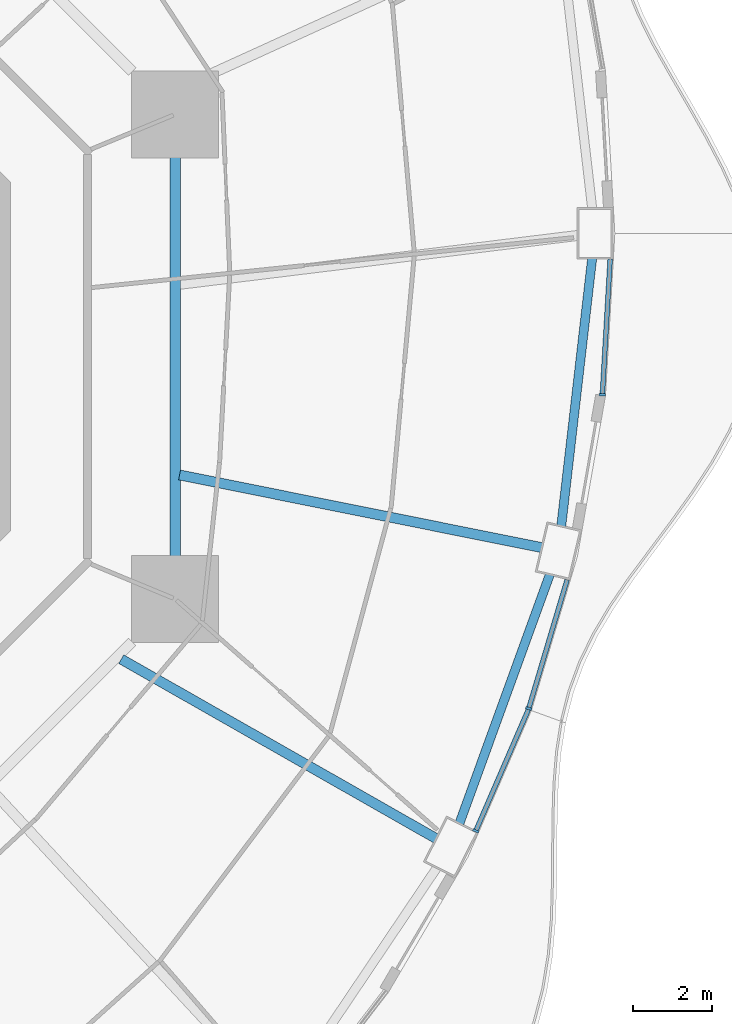
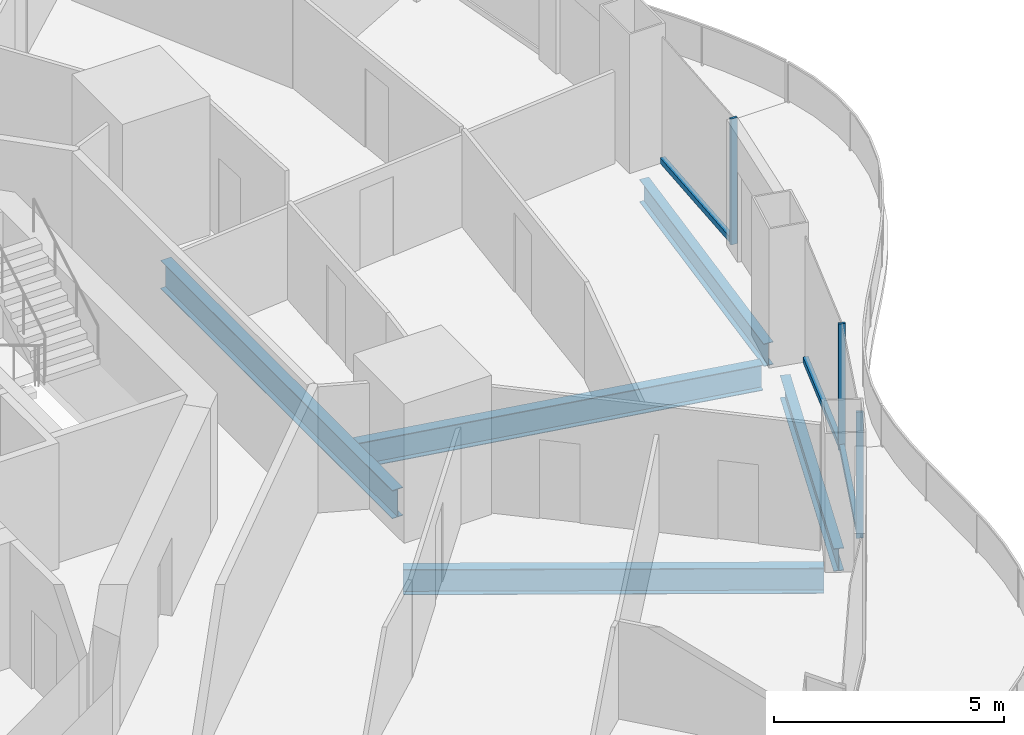
# One storey, part 6 of 23: 6 members, 5 beams, 3 elements without a shape of their own.
"""IFC4 building model written with IfcOpenShell, lengths in metres."""

from ifc_helpers import new_model, si_unit, direction, frame, origin, origin_2d, place, context, subcontext, project, spatial, rectangle, i_section, extrude, material, layer, layer_set, material_profile, profile_set, type_object, element, aggregate, save


model = new_model("IFC4")

# Units and contexts
model_context = context("Model", 3, precision=1e-05, world=origin(), true_north=direction((0.0, 1.0)))
body_context = subcontext(model_context, "Body", "Model", "MODEL_VIEW")
ifc_project = project(units=[si_unit("LENGTHUNIT", "METRE"), si_unit("AREAUNIT", "SQUARE_METRE"), si_unit("VOLUMEUNIT", "CUBIC_METRE"), si_unit("PLANEANGLEUNIT", "RADIAN"), si_unit("MASSUNIT", "GRAM", prefix="KILO")], contexts=[model_context])

# Site, building, storey
site_placement = place(None, origin())
site = spatial("IfcSite", under=ifc_project, at=site_placement, CompositionType="ELEMENT")
building_placement = place(site_placement, origin())
building = spatial("IfcBuilding", under=site, at=building_placement, Name="Nagisa Residences", CompositionType="ELEMENT")
storey_placement = place(building_placement, frame((0.0, 0.0, 110.300048828125)))
storey = spatial("IfcBuildingStorey", under=building, at=storey_placement, Name="L27", CompositionType="ELEMENT", Elevation=110.300048828125)

# Curtain wall, member
ifc_material_1 = material(Name="Concrete-coloured aluminium curtain wall system", Category="concrete")
ifc_layer = layer(ifc_material_1, 0.159912109375)
ifc_layer_set = layer_set([ifc_layer], Name="CW1 CURTAIN WALL")
curtain_wall_type = type_object("IfcCurtainWallType", Name="CW1 CURTAIN WALL", PredefinedType="NOTDEFINED", material=ifc_layer_set)
curtain_wall_1_placement = place(storey_placement, origin())
curtain_wall_1 = element("IfcCurtainWall", 1, at=curtain_wall_1_placement, inside=storey, type_object=curtain_wall_type, Name="cw:CW1:L27:44", PredefinedType="NOTDEFINED")
ifc_material_2 = material(Name="Concrete-coloured aluminium", Category="concrete")
ifc_material_profile_1 = material_profile(ifc_material_2, rectangle(XDim=0.159912109375, YDim=0.06005859375, at=origin_2d()), Name="CW1 MULLION 160x60")
ifc_profile_set_1 = profile_set([ifc_material_profile_1], Name="Concrete-coloured aluminium")
member_type_1 = type_object("IfcMemberType", Name="CW1 MULLION 160x60", PredefinedType="MULLION", material=ifc_profile_set_1)
member_1_placement = place(storey_placement, frame((22.381591796875, -11.984130859375, 0.0), z_axis=(0.0, 0.0, 1.0), x_axis=(-0.917543276295, 0.397635934147, 0.0)))
member_1 = element("IfcMember", 2, at=member_1_placement, type_object=member_type_1, Name="CW1 mullion", PredefinedType="MULLION", context=body_context, shape_type="SweptSolid", body=[
    extrude(rectangle(XDim=0.159912109375, YDim=0.06005859375, at=origin_2d()), origin(), (0.0, 0.0, 1.0), 3.349853515625),
])

curtain_wall_2_placement = place(storey_placement, origin())
curtain_wall_2 = element("IfcCurtainWall", 3, at=curtain_wall_2_placement, inside=storey, type_object=curtain_wall_type, Name="cw:CW1:L27:45", PredefinedType="NOTDEFINED")
member_2_placement = place(storey_placement, frame((23.71875, -8.890869140625, 0.0), z_axis=(0.0, 0.0, 1.0), x_axis=(-0.958271310082, 0.285860274038, 0.0)))
member_2 = element("IfcMember", 4, at=member_2_placement, type_object=member_type_1, Name="CW1 mullion", PredefinedType="MULLION", context=body_context, shape_type="SweptSolid", body=[
    extrude(rectangle(XDim=0.159912109375, YDim=0.06005859375, at=origin_2d()), origin(), (0.0, 0.0, 1.0), 3.349853515625),
])

curtain_wall_3_placement = place(storey_placement, origin())
curtain_wall_3 = element("IfcCurtainWall", 5, at=curtain_wall_3_placement, inside=storey, type_object=curtain_wall_type, Name="cw:CW1:L27:47", PredefinedType="NOTDEFINED")
member_3_placement = place(storey_placement, frame((25.579833984375, -0.961181640625, 0.0), z_axis=(0.0, 0.0, 1.0), x_axis=(-0.998345305184, 0.057503492216, 0.0)))
member_3 = element("IfcMember", 6, at=member_3_placement, type_object=member_type_1, Name="CW1 mullion", PredefinedType="MULLION", context=body_context, shape_type="SweptSolid", body=[
    extrude(rectangle(XDim=0.159912109375, YDim=0.06005859375, at=origin_2d()), origin(), (0.0, 0.0, 1.0), 3.349853515625),
])

# Member
ifc_material_3 = material(Name="Concrete-coloured aluminium", Category="concrete")
ifc_material_profile_2 = material_profile(ifc_material_3, rectangle(XDim=0.1201171875, YDim=0.14990234375, at=origin_2d()), Name="CW1 TRANSOM 120x150")
ifc_profile_set_2 = profile_set([ifc_material_profile_2], Name="Concrete-coloured aluminium")
member_type_2 = type_object("IfcMemberType", Name="CW1 TRANSOM 120x150", PredefinedType="USERDEFINED", material=ifc_profile_set_2)
member_4_placement = place(storey_placement, frame((22.36962890625, -12.011474609375, 0.074951171875), z_axis=(0.397621629246, 0.917549475481, 0.0), x_axis=(-0.917549475481, 0.397621629246, 0.0)))
member_4 = element("IfcMember", 7, at=member_4_placement, type_object=member_type_2, Name="CW1 transom", ObjectType="TRANSOM", PredefinedType="USERDEFINED", context=body_context, shape_type="SweptSolid", body=[
    extrude(rectangle(XDim=0.1201171875, YDim=0.14990234375, at=origin_2d()), origin(), (0.0, 0.0, 1.0), 3.37939453125),
])

aggregate(curtain_wall_1, [member_1, member_4])

member_5_placement = place(storey_placement, frame((23.710205078125, -8.919677734375, 0.074951171875), z_axis=(0.285882094477, 0.958264800594, 0.0), x_axis=(-0.958264800594, 0.285882094477, 0.0)))
member_5 = element("IfcMember", 8, at=member_5_placement, type_object=member_type_2, Name="CW1 transom", ObjectType="TRANSOM", PredefinedType="USERDEFINED", context=body_context, shape_type="SweptSolid", body=[
    extrude(rectangle(XDim=0.1201171875, YDim=0.14990234375, at=origin_2d()), origin(), (0.0, 0.0, 1.0), 3.423583984375),
])

aggregate(curtain_wall_2, [member_2, member_5])

member_6_placement = place(storey_placement, frame((25.578125, -0.9912109375, 0.074951171875), z_axis=(0.057546644052, 0.998342818754, 0.0), x_axis=(-0.998342818754, 0.057546644052, 0.0)))
member_6 = element("IfcMember", 9, at=member_6_placement, type_object=member_type_2, Name="CW1 transom", ObjectType="TRANSOM", PredefinedType="USERDEFINED", context=body_context, shape_type="SweptSolid", body=[
    extrude(rectangle(XDim=0.1201171875, YDim=0.14990234375, at=origin_2d()), origin(), (0.0, 0.0, 1.0), 3.470458984375),
])

aggregate(curtain_wall_3, [member_3, member_6])

# Beams
ifc_material_4 = material(Name="Steel ASTM A572 Gr 50", Category="steel")
ifc_material_profile_3 = material_profile(ifc_material_4, i_section(OverallWidth=0.264892578125, OverallDepth=0.7529296875, WebThickness=0.01318359375, FlangeThickness=0.01708984375, at=origin_2d()), Name="W760x147")
ifc_profile_set_3 = profile_set([ifc_material_profile_3], Name="Steel ASTM A572 Gr 50")
beam_type_1 = type_object("IfcBeamType", Name="Inner ring beam W760x147", PredefinedType="BEAM", material=ifc_profile_set_3)
beam_1_placement = place(storey_placement, frame((14.781982421875, -5.04296875, -0.636474609375), z_axis=(0.0, 1.0, 0.0), x_axis=(-1.0, 0.0, 0.0)))
element("IfcBeam", 10, at=beam_1_placement, inside=storey, type_object=beam_type_1, Name="beam:L27:ib8", PredefinedType="BEAM", context=body_context, shape_type="SweptSolid", body=[
    extrude(i_section(OverallWidth=0.264892578125, OverallDepth=0.7529296875, WebThickness=0.01318359375, FlangeThickness=0.01708984375, at=origin_2d()), origin(), (0.0, 0.0, 1.0), 10.0859375),
])
ifc_material_5 = material(Name="Steel ASTM A572 Gr 50", Category="steel")
ifc_material_profile_4 = material_profile(ifc_material_5, i_section(OverallWidth=0.22802734375, OverallDepth=0.60302734375, WebThickness=0.010498046875, FlangeThickness=0.014892578125, at=origin_2d()), Name="W610x101")
ifc_profile_set_4 = profile_set([ifc_material_profile_4], Name="Steel ASTM A572 Gr 50")
beam_type_2 = type_object("IfcBeamType", Name="Perimeter ring beam W610x101", PredefinedType="BEAM", material=ifc_profile_set_4)
beam_2_placement = place(storey_placement, frame((21.96826171875, -11.793212890625, -0.5615234375), z_axis=(0.341365002286, 0.939930814057, 0.0), x_axis=(-0.939930814057, 0.341365002286, 0.0)))
element("IfcBeam", 11, at=beam_2_placement, inside=storey, type_object=beam_type_2, Name="beam:L27:pb23", PredefinedType="BEAM", context=body_context, shape_type="SweptSolid", body=[
    extrude(i_section(OverallWidth=0.22802734375, OverallDepth=0.60302734375, WebThickness=0.010498046875, FlangeThickness=0.014892578125, at=origin_2d()), origin(), (0.0, 0.0, 1.0), 6.689208984375),
])
beam_3_placement = place(storey_placement, frame((24.541015625, -4.279296875, -0.5615234375), z_axis=(0.114690766503, 0.993401242237, 0.0), x_axis=(-0.993401242237, 0.114690766503, 0.0)))
element("IfcBeam", 12, at=beam_3_placement, inside=storey, type_object=beam_type_2, Name="beam:L27:pb24", PredefinedType="BEAM", context=body_context, shape_type="SweptSolid", body=[
    extrude(i_section(OverallWidth=0.22802734375, OverallDepth=0.60302734375, WebThickness=0.010498046875, FlangeThickness=0.014892578125, at=origin_2d()), origin(), (0.0, 0.0, 1.0), 6.811767578125),
])
ifc_material_6 = material(Name="Steel ASTM A572 Gr 50", Category="steel")
ifc_material_profile_5 = material_profile(ifc_material_6, i_section(OverallWidth=0.2529296875, OverallDepth=0.677978515625, WebThickness=0.01171875, FlangeThickness=0.016357421875, at=origin_2d()), Name="W690x125")
ifc_profile_set_5 = profile_set([ifc_material_profile_5], Name="Steel ASTM A572 Gr 50")
beam_type_3 = type_object("IfcBeamType", Name="Radial beam W690x125", PredefinedType="BEAM", material=ifc_profile_set_5)
beam_4_placement = place(storey_placement, frame((21.37744140625, -12.1767578125, -0.59912109375), z_axis=(-0.868924854865, 0.494944033804, 0.0), x_axis=(-0.494944033804, -0.868924854865, 0.0)))
element("IfcBeam", 13, at=beam_4_placement, inside=storey, type_object=beam_type_3, Name="beam:L27:rb23", PredefinedType="BEAM", context=body_context, shape_type="SweptSolid", body=[
    extrude(i_section(OverallWidth=0.2529296875, OverallDepth=0.677978515625, WebThickness=0.01171875, FlangeThickness=0.016357421875, at=origin_2d()), origin(), (0.0, 0.0, 1.0), 9.156982421875),
])
beam_5_placement = place(storey_placement, frame((24.046630859375, -4.824951171875, -0.59912109375), z_axis=(-0.980459769656, 0.196719699282, 0.0), x_axis=(-0.196719699282, -0.980459769656, 0.0)))
element("IfcBeam", 14, at=beam_5_placement, inside=storey, type_object=beam_type_3, Name="beam:L27:rb24", PredefinedType="BEAM", context=body_context, shape_type="SweptSolid", body=[
    extrude(i_section(OverallWidth=0.2529296875, OverallDepth=0.677978515625, WebThickness=0.01171875, FlangeThickness=0.016357421875, at=origin_2d()), origin(), (0.0, 0.0, 1.0), 9.333984375),
])

save(model, "model.ifc")
